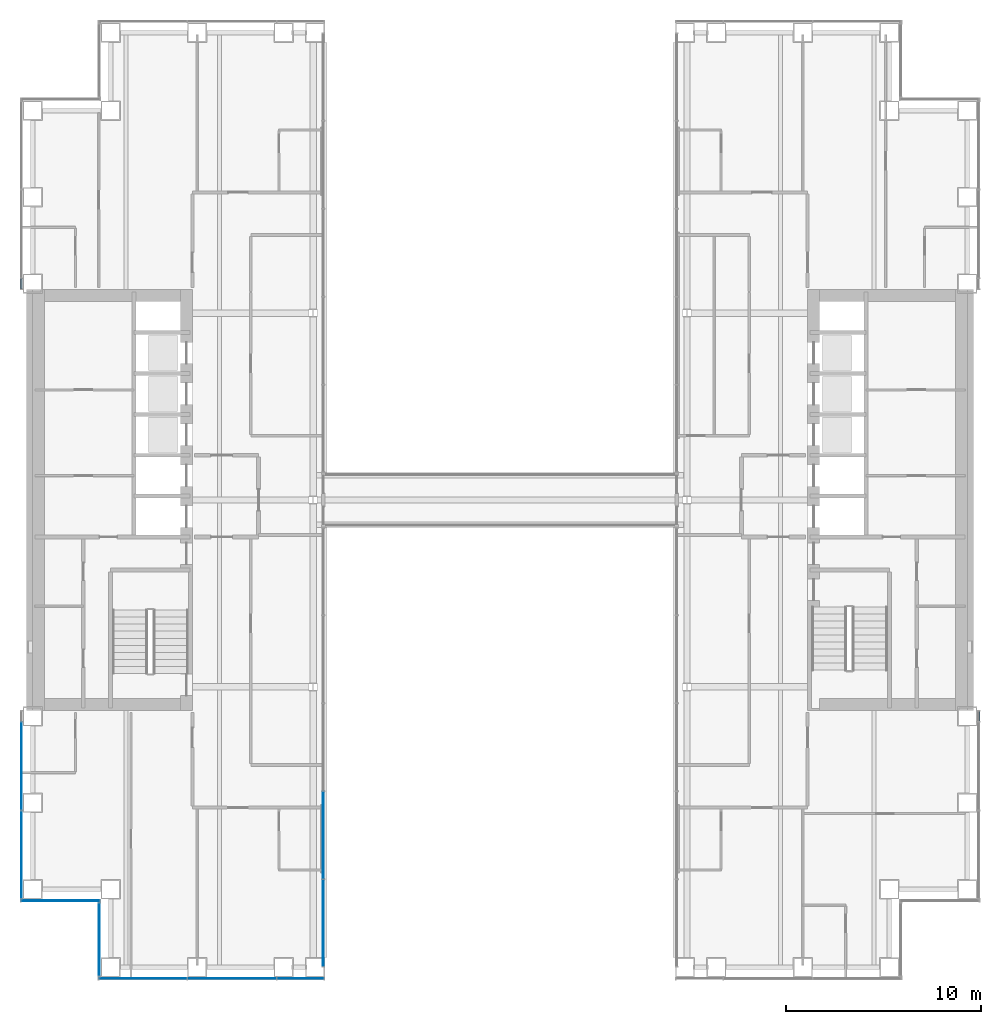
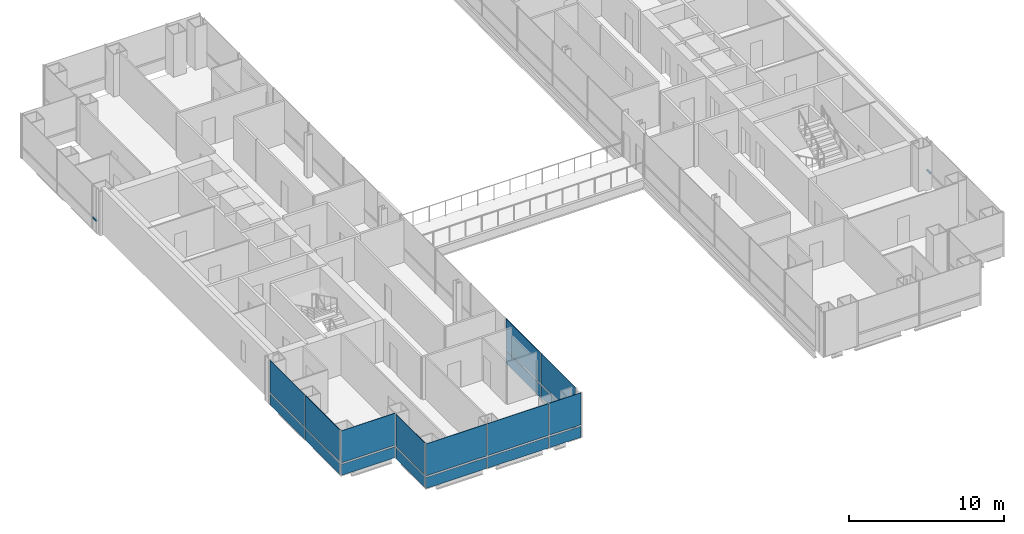
# One storey, part 8 of 19: 18 plates, 2 members, 7 elements without a shape of their own.
"""IFC4 building model written with IfcOpenShell, lengths in metres."""

from ifc_helpers import new_model, si_unit, direction, frame, origin, origin_2d, place, context, subcontext, project, spatial, rectangle, extrude, material, layer, layer_set, material_profile, profile_set, type_object, element, aggregate, save


model = new_model("IFC4")

# Units and contexts
model_context = context("Model", 3, precision=1e-05, world=origin(), true_north=direction((0.0, 1.0)))
body_context = subcontext(model_context, "Body", "Model", "MODEL_VIEW")
ifc_project = project(units=[si_unit("LENGTHUNIT", "METRE"), si_unit("AREAUNIT", "SQUARE_METRE"), si_unit("VOLUMEUNIT", "CUBIC_METRE"), si_unit("PLANEANGLEUNIT", "RADIAN"), si_unit("MASSUNIT", "GRAM", prefix="KILO")], contexts=[model_context])

# Site, building, storey
site_placement = place(None, origin())
site = spatial("IfcSite", under=ifc_project, at=site_placement, CompositionType="ELEMENT")
building_placement = place(site_placement, origin())
building = spatial("IfcBuilding", under=site, at=building_placement, Name="Cobrizo Arcos Hotel Tower", CompositionType="ELEMENT")
storey_placement = place(building_placement, frame((0.0, 0.0, 63.5)))
storey = spatial("IfcBuildingStorey", under=building, at=storey_placement, Name="L14", CompositionType="ELEMENT", Elevation=63.5)

# Curtain wall, member
ifc_material_1 = material(Name="Aluminium 6063-T6 anodised bronze", Category="aluminium")
curtain_wall_type_1 = type_object("IfcCurtainWallType", Name="CW-A guest facade", PredefinedType="NOTDEFINED", material=ifc_material_1)
curtain_wall_1_placement = place(storey_placement, origin())
curtain_wall_1 = element("IfcCurtainWall", 1, at=curtain_wall_1_placement, inside=storey, type_object=curtain_wall_type_1, Name="CW-A L14 E face", PredefinedType="NOTDEFINED")
ifc_material_profile = material_profile(ifc_material_1, rectangle(XDim=0.10009765625, YDim=0.1201171875, at=origin_2d()), Name="CW-A transom 120x100")
ifc_profile_set = profile_set([ifc_material_profile], Name="Aluminium 6063-T6 anodised bronze")
member_type = type_object("IfcMemberType", Name="CW-A transom 120x100", PredefinedType="USERDEFINED", material=ifc_profile_set)
member_1_placement = place(storey_placement, frame((24.574951171875, -11.35888671875, 0.929931640625), z_axis=(0.0, 1.0, 0.0), x_axis=(-1.0, 0.0, 0.0)))
member_1 = element("IfcMember", 2, at=member_1_placement, type_object=member_type, Name="CW-A transom 631", ObjectType="TRANSOM", PredefinedType="USERDEFINED", context=body_context, shape_type="SweptSolid", body=[
    extrude(rectangle(XDim=0.10009765625, YDim=0.1201171875, at=origin_2d()), origin(), (0.0, 0.0, 1.0), 0.498779296875),
])
aggregate(curtain_wall_1, [member_1])

curtain_wall_2_placement = place(storey_placement, origin())
curtain_wall_2 = element("IfcCurtainWall", 3, at=curtain_wall_2_placement, inside=storey, type_object=curtain_wall_type_1, Name="CW-A L14 W face", PredefinedType="NOTDEFINED")
member_2_placement = place(storey_placement, frame((-24.574951171875, 11.35888671875, 0.929931640625), z_axis=(0.0, -1.0, 0.0), x_axis=(1.0, 0.0, 0.0)))
member_2 = element("IfcMember", 4, at=member_2_placement, type_object=member_type, Name="CW-A transom 647", ObjectType="TRANSOM", PredefinedType="USERDEFINED", context=body_context, shape_type="SweptSolid", body=[
    extrude(rectangle(XDim=0.10009765625, YDim=0.1201171875, at=origin_2d()), origin(), (0.0, 0.0, 1.0), 0.498779296875),
])
aggregate(curtain_wall_2, [member_2])

# Curtain wall, plates
curtain_wall_3_placement = place(storey_placement, origin())
curtain_wall_3 = element("IfcCurtainWall", 5, at=curtain_wall_3_placement, inside=storey, type_object=curtain_wall_type_1, Name="CW-A L14 S face", PredefinedType="NOTDEFINED")
ifc_material_2 = material(Name="Glass clear laminated low-e", Category="glass")
ifc_layer_1 = layer(ifc_material_2, 0.0400390625)
ifc_layer_set_1 = layer_set([ifc_layer_1], Name="CW-A glass panel")
plate_type_1 = type_object("IfcPlateType", Name="CW-A glass panel", PredefinedType="CURTAIN_PANEL", material=ifc_layer_set_1)
plate_1_placement = place(storey_placement, frame((-18.340576171875, -24.574951171875, 0.990234375), z_axis=(0.0, 0.0, 1.0), x_axis=(1.0, 0.0, 0.0)))
plate_1 = element("IfcPlate", 6, at=plate_1_placement, type_object=plate_type_1, Name="CW-A glass panel 621", PredefinedType="CURTAIN_PANEL", context=body_context, shape_type="SweptSolid", body=[
    extrude(rectangle(XDim=4.498779296875, YDim=0.0400390625, at=origin_2d()), origin(), (0.0, 0.0, 1.0), 2.510009765625),
])
plate_2_placement = place(storey_placement, frame((-13.7666015625, -24.574951171875, 0.990234375), z_axis=(0.0, 0.0, 1.0), x_axis=(1.0, 0.0, 0.0)))
plate_2 = element("IfcPlate", 7, at=plate_2_placement, type_object=plate_type_1, Name="CW-A glass panel 622", PredefinedType="CURTAIN_PANEL", context=body_context, shape_type="SweptSolid", body=[
    extrude(rectangle(XDim=4.52880859375, YDim=0.0400390625, at=origin_2d()), origin(), (0.0, 0.0, 1.0), 2.510009765625),
])
plate_3_placement = place(storey_placement, frame((-10.251220703125, -24.574951171875, 0.990234375), z_axis=(0.0, 0.0, 1.0), x_axis=(1.0, 0.0, 0.0)))
plate_3 = element("IfcPlate", 8, at=plate_3_placement, type_object=plate_type_1, Name="CW-A glass panel 623", PredefinedType="CURTAIN_PANEL", context=body_context, shape_type="SweptSolid", body=[
    extrude(rectangle(XDim=2.38232421875, YDim=0.0400390625, at=origin_2d()), origin(), (0.0, 0.0, 1.0), 2.510009765625),
])

curtain_wall_4_placement = place(storey_placement, origin())
curtain_wall_4 = element("IfcCurtainWall", 9, at=curtain_wall_4_placement, inside=storey, type_object=curtain_wall_type_1, Name="CW-A L14 W face", PredefinedType="NOTDEFINED")
plate_4_placement = place(storey_placement, frame((-24.574951171875, -13.666748046875, 0.990234375), z_axis=(0.0, 0.0, 1.0), x_axis=(0.0, -1.0, 0.0)))
plate_4 = element("IfcPlate", 10, at=plate_4_placement, type_object=plate_type_1, Name="CW-A glass panel 649", PredefinedType="CURTAIN_PANEL", context=body_context, shape_type="SweptSolid", body=[
    extrude(rectangle(XDim=4.49560546875, YDim=0.0400390625, at=origin_2d()), origin(), (0.0, 0.0, 1.0), 2.510009765625),
])
plate_5_placement = place(storey_placement, frame((-24.574951171875, -18.207275390625, 0.990234375), z_axis=(0.0, 0.0, 1.0), x_axis=(0.0, -1.0, 0.0)))
plate_5 = element("IfcPlate", 11, at=plate_5_placement, type_object=plate_type_1, Name="CW-A glass panel 650", PredefinedType="CURTAIN_PANEL", context=body_context, shape_type="SweptSolid", body=[
    extrude(rectangle(XDim=4.465576171875, YDim=0.0400390625, at=origin_2d()), origin(), (0.0, 0.0, 1.0), 2.510009765625),
])

# Curtain wall, plate
curtain_wall_5_placement = place(storey_placement, origin())
curtain_wall_5 = element("IfcCurtainWall", 12, at=curtain_wall_5_placement, inside=storey, type_object=curtain_wall_type_1, Name="CW-A L14 S face", PredefinedType="NOTDEFINED")
plate_6_placement = place(storey_placement, frame((-22.574951171875, -20.574951171875, 0.990234375), z_axis=(0.0, 0.0, 1.0), x_axis=(1.0, 0.0, 0.0)))
plate_6 = element("IfcPlate", 13, at=plate_6_placement, type_object=plate_type_1, Name="CW-A glass panel 651", PredefinedType="CURTAIN_PANEL", context=body_context, shape_type="SweptSolid", body=[
    extrude(rectangle(XDim=4.030029296875, YDim=0.0400390625, at=origin_2d()), origin(), (0.0, 0.0, 1.0), 2.510009765625),
])

curtain_wall_6_placement = place(storey_placement, origin())
curtain_wall_6 = element("IfcCurtainWall", 14, at=curtain_wall_6_placement, inside=storey, type_object=curtain_wall_type_1, Name="CW-A L14 W face", PredefinedType="NOTDEFINED")
plate_7_placement = place(storey_placement, frame((-20.574951171875, -22.574951171875, 0.990234375), z_axis=(0.0, 0.0, 1.0), x_axis=(0.0, -1.0, 0.0)))
plate_7 = element("IfcPlate", 15, at=plate_7_placement, type_object=plate_type_1, Name="CW-A glass panel 652", PredefinedType="CURTAIN_PANEL", context=body_context, shape_type="SweptSolid", body=[
    extrude(rectangle(XDim=3.72998046875, YDim=0.0400390625, at=origin_2d()), origin(), (0.0, 0.0, 1.0), 2.510009765625),
])

# Plate
ifc_material_3 = material(Name="Aluminium composite panel pale metal", Category="aluminium")
ifc_layer_2 = layer(ifc_material_3, 0.0400390625)
ifc_layer_set_2 = layer_set([ifc_layer_2], Name="CW-A spandrel panel")
plate_type_2 = type_object("IfcPlateType", Name="CW-A spandrel panel", PredefinedType="CURTAIN_PANEL", material=ifc_layer_set_2)
plate_8_placement = place(storey_placement, frame((-18.340576171875, -24.574951171875, 0.0), z_axis=(0.0, 0.0, 1.0), x_axis=(1.0, 0.0, 0.0)))
plate_8 = element("IfcPlate", 16, at=plate_8_placement, type_object=plate_type_2, Name="CW-A spandrel panel 621", PredefinedType="CURTAIN_PANEL", context=body_context, shape_type="SweptSolid", body=[
    extrude(rectangle(XDim=4.498779296875, YDim=0.0400390625, at=origin_2d()), origin(), (0.0, 0.0, 1.0), 0.8701171875),
])

plate_9_placement = place(storey_placement, frame((-13.7666015625, -24.574951171875, 0.0), z_axis=(0.0, 0.0, 1.0), x_axis=(1.0, 0.0, 0.0)))
plate_9 = element("IfcPlate", 17, at=plate_9_placement, type_object=plate_type_2, Name="CW-A spandrel panel 622", PredefinedType="CURTAIN_PANEL", context=body_context, shape_type="SweptSolid", body=[
    extrude(rectangle(XDim=4.52880859375, YDim=0.0400390625, at=origin_2d()), origin(), (0.0, 0.0, 1.0), 0.8701171875),
])

plate_10_placement = place(storey_placement, frame((-10.251220703125, -24.574951171875, 0.0), z_axis=(0.0, 0.0, 1.0), x_axis=(1.0, 0.0, 0.0)))
plate_10 = element("IfcPlate", 18, at=plate_10_placement, type_object=plate_type_2, Name="CW-A spandrel panel 623", PredefinedType="CURTAIN_PANEL", context=body_context, shape_type="SweptSolid", body=[
    extrude(rectangle(XDim=2.38232421875, YDim=0.0400390625, at=origin_2d()), origin(), (0.0, 0.0, 1.0), 0.8701171875),
])

aggregate(curtain_wall_3, [plate_8, plate_1, plate_9, plate_2, plate_10, plate_3])

plate_11_placement = place(storey_placement, frame((-24.574951171875, -13.666748046875, 0.0), z_axis=(0.0, 0.0, 1.0), x_axis=(0.0, -1.0, 0.0)))
plate_11 = element("IfcPlate", 19, at=plate_11_placement, type_object=plate_type_2, Name="CW-A spandrel panel 649", PredefinedType="CURTAIN_PANEL", context=body_context, shape_type="SweptSolid", body=[
    extrude(rectangle(XDim=4.49560546875, YDim=0.0400390625, at=origin_2d()), origin(), (0.0, 0.0, 1.0), 0.8701171875),
])

plate_12_placement = place(storey_placement, frame((-24.574951171875, -18.207275390625, 0.0), z_axis=(0.0, 0.0, 1.0), x_axis=(0.0, -1.0, 0.0)))
plate_12 = element("IfcPlate", 20, at=plate_12_placement, type_object=plate_type_2, Name="CW-A spandrel panel 650", PredefinedType="CURTAIN_PANEL", context=body_context, shape_type="SweptSolid", body=[
    extrude(rectangle(XDim=4.465576171875, YDim=0.0400390625, at=origin_2d()), origin(), (0.0, 0.0, 1.0), 0.8701171875),
])

aggregate(curtain_wall_4, [plate_11, plate_4, plate_12, plate_5])

plate_13_placement = place(storey_placement, frame((-22.574951171875, -20.574951171875, 0.0), z_axis=(0.0, 0.0, 1.0), x_axis=(1.0, 0.0, 0.0)))
plate_13 = element("IfcPlate", 21, at=plate_13_placement, type_object=plate_type_2, Name="CW-A spandrel panel 651", PredefinedType="CURTAIN_PANEL", context=body_context, shape_type="SweptSolid", body=[
    extrude(rectangle(XDim=4.030029296875, YDim=0.0400390625, at=origin_2d()), origin(), (0.0, 0.0, 1.0), 0.8701171875),
])

aggregate(curtain_wall_5, [plate_13, plate_6])

plate_14_placement = place(storey_placement, frame((-20.574951171875, -22.574951171875, 0.0), z_axis=(0.0, 0.0, 1.0), x_axis=(0.0, -1.0, 0.0)))
plate_14 = element("IfcPlate", 22, at=plate_14_placement, type_object=plate_type_2, Name="CW-A spandrel panel 652", PredefinedType="CURTAIN_PANEL", context=body_context, shape_type="SweptSolid", body=[
    extrude(rectangle(XDim=3.72998046875, YDim=0.0400390625, at=origin_2d()), origin(), (0.0, 0.0, 1.0), 0.8701171875),
])

aggregate(curtain_wall_6, [plate_14, plate_7])

# Curtain wall, plates
curtain_wall_type_2 = type_object("IfcCurtainWallType", Name="CW-F void screen", PredefinedType="NOTDEFINED", material=ifc_material_1)
curtain_wall_7_placement = place(storey_placement, origin())
curtain_wall_7 = element("IfcCurtainWall", 23, at=curtain_wall_7_placement, inside=storey, type_object=curtain_wall_type_2, Name="CW-F L14 void screen A", PredefinedType="NOTDEFINED")
ifc_layer_3 = layer(ifc_material_2, 0.0400390625)
ifc_layer_set_3 = layer_set([ifc_layer_3], Name="CW-F glass panel")
plate_type_3 = type_object("IfcPlateType", Name="CW-F glass panel", PredefinedType="CURTAIN_PANEL", material=ifc_layer_set_3)
plate_15_placement = place(storey_placement, frame((-9.074951171875, -17.219970703125, 0.0), z_axis=(0.0, 0.0, 1.0), x_axis=(0.0, -1.0, 0.0)))
plate_15 = element("IfcPlate", 24, at=plate_15_placement, type_object=plate_type_3, Name="CW-F glass panel 2466", PredefinedType="CURTAIN_PANEL", context=body_context, shape_type="SweptSolid", body=[
    extrude(rectangle(XDim=4.4599609375, YDim=0.0400390625, at=origin_2d()), origin(), (0.0, 0.0, 1.0), 0.989990234375),
])
plate_16_placement = place(storey_placement, frame((-9.074951171875, -17.219970703125, 1.10986328125), z_axis=(0.0, 0.0, 1.0), x_axis=(0.0, -1.0, 0.0)))
plate_16 = element("IfcPlate", 25, at=plate_16_placement, type_object=plate_type_3, Name="CW-F glass panel 2466", PredefinedType="CURTAIN_PANEL", context=body_context, shape_type="SweptSolid", body=[
    extrude(rectangle(XDim=4.4599609375, YDim=0.0400390625, at=origin_2d()), origin(), (0.0, 0.0, 1.0), 2.389892578125),
])
plate_17_placement = place(storey_placement, frame((-9.074951171875, -21.72509765625, 0.0), z_axis=(0.0, 0.0, 1.0), x_axis=(0.0, -1.0, 0.0)))
plate_17 = element("IfcPlate", 26, at=plate_17_placement, type_object=plate_type_3, Name="CW-F glass panel 2467", PredefinedType="CURTAIN_PANEL", context=body_context, shape_type="SweptSolid", body=[
    extrude(rectangle(XDim=4.429931640625, YDim=0.0400390625, at=origin_2d()), origin(), (0.0, 0.0, 1.0), 0.989990234375),
])
plate_18_placement = place(storey_placement, frame((-9.074951171875, -21.72509765625, 1.10986328125), z_axis=(0.0, 0.0, 1.0), x_axis=(0.0, -1.0, 0.0)))
plate_18 = element("IfcPlate", 27, at=plate_18_placement, type_object=plate_type_3, Name="CW-F glass panel 2467", PredefinedType="CURTAIN_PANEL", context=body_context, shape_type="SweptSolid", body=[
    extrude(rectangle(XDim=4.429931640625, YDim=0.0400390625, at=origin_2d()), origin(), (0.0, 0.0, 1.0), 2.389892578125),
])
aggregate(curtain_wall_7, [plate_15, plate_16, plate_17, plate_18])

save(model, "model.ifc")
